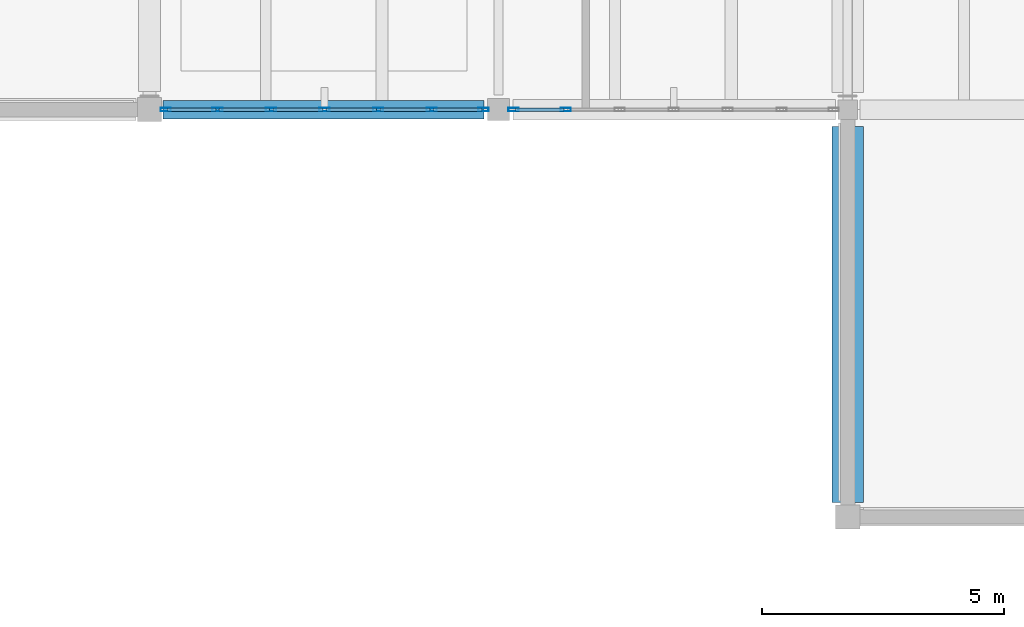
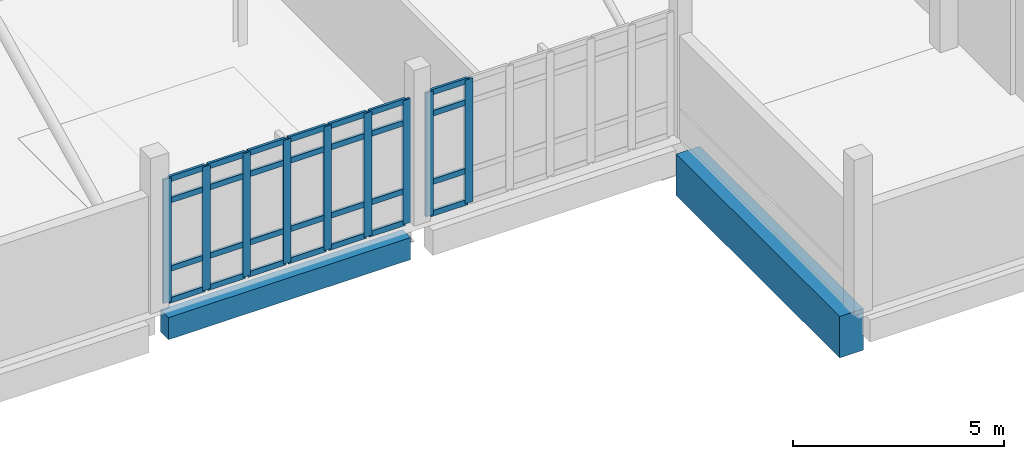
# One storey, part 5 of 34: 37 members, 2 beams, 2 elements without a shape of their own.
"""IFC4 building model written with IfcOpenShell, lengths in metres."""

import ifcopenshell
import ifcopenshell.guid

model = None  # the IFC model being written
_history = None  # IfcOwnerHistory: only IFC2X3 demands one
_inside = {}  # id of a spatial element -> (the spatial element, [elements in it])
_under = {}  # id of a project, library or spatial element -> (it, [spatial elements below it])
_declared = {}  # id of a project -> (the project, [libraries it declares])
_typed = {}  # id of a type object -> (the type object, [elements of that type])
_made_of = {}  # id of a material, layer set ... -> (it, [elements and type objects made of it])


def new_model(schema):
    """Start an empty IFC model of exactly this schema.

    Asked for "IFC4X3", IfcOpenShell would pick the latest addendum, in which some entities
    have other attributes; the version numbers below select the first issue.
    IFC2X3 requires an IfcOwnerHistory on every rooted entity: one is made here for all.
    """
    global model, _history
    if schema == "IFC4X3":
        model = ifcopenshell.file(schema_version=(4, 3, 0, 0))
    else:
        model = ifcopenshell.file(schema=schema)
    _inside.clear()
    _under.clear()
    _declared.clear()
    _typed.clear()
    _made_of.clear()
    _history = None
    if model.schema == "IFC2X3":
        org = make("IfcOrganization", Name="unknown")
        user = make(
            "IfcPersonAndOrganization",
            ThePerson=make("IfcPerson", FamilyName="unknown"),
            TheOrganization=org,
        )
        app = make(
            "IfcApplication",
            ApplicationDeveloper=org,
            Version="unknown",
            ApplicationFullName="unknown",
            ApplicationIdentifier="unknown",
        )
        _history = make(
            "IfcOwnerHistory",
            OwningUser=user,
            OwningApplication=app,
            ChangeAction="ADDED",
            CreationDate=0,
        )
    return model


def make(cls, **values):
    """One entity of the class cls with the attributes given. An attribute that is None is left unset."""
    return model.create_entity(
        cls, **{name: value for name, value in values.items() if value is not None}
    )


def rooted(cls, **values):
    """An entity with a GlobalId (a new one), such as an element, a storey or a relation."""
    return make(cls, GlobalId=ifcopenshell.guid.new(), OwnerHistory=_history, **values)


def si_unit(unit_type, name, prefix=None):
    """IfcSIUnit, for example si_unit("LENGTHUNIT", "METRE", prefix="MILLI")."""
    return make("IfcSIUnit", UnitType=unit_type, Prefix=prefix, Name=name)


def assignment(units):
    """IfcUnitAssignment: the units of a project."""
    return None if units is None else make("IfcUnitAssignment", Units=units)


def point(xyz):
    """IfcCartesianPoint."""
    return None if xyz is None else make("IfcCartesianPoint", Coordinates=xyz)


def direction(xyz):
    """IfcDirection."""
    return None if xyz is None else make("IfcDirection", DirectionRatios=xyz)


def frame(location, z_axis=None, x_axis=None):
    """IfcAxis2Placement3D, a coordinate frame: its origin and axes. An axis left out is left unset."""
    return make(
        "IfcAxis2Placement3D",
        Location=point(location),
        Axis=direction(z_axis),
        RefDirection=direction(x_axis),
    )


def frame_2d(location, x_axis=None):
    """IfcAxis2Placement2D, a coordinate frame in the plane: its origin and x axis."""
    return make(
        "IfcAxis2Placement2D", Location=point(location), RefDirection=direction(x_axis)
    )


def origin():
    """The frame at (0, 0, 0) with its axes left unset."""
    return frame((0.0, 0.0, 0.0))


def origin_2d():
    """The frame at (0, 0) in the plane with its x axis left unset."""
    return frame_2d((0.0, 0.0))


def place(relative_to, where):
    """IfcLocalPlacement: puts the frame where relative to a parent placement (None: the world)."""
    return make(
        "IfcLocalPlacement", PlacementRelTo=relative_to, RelativePlacement=where
    )


def context(
    kind, dimensions, precision=None, world=None, true_north=None, identifier=None
):
    """IfcGeometricRepresentationContext, for example the 3D "Model" context."""
    return make(
        "IfcGeometricRepresentationContext",
        ContextIdentifier=identifier,
        ContextType=kind,
        CoordinateSpaceDimension=dimensions,
        Precision=precision,
        WorldCoordinateSystem=world,
        TrueNorth=true_north,
    )


def subcontext(parent, identifier, kind, view, scale=None):
    """IfcGeometricRepresentationSubContext, for example "Body" below "Model"."""
    return make(
        "IfcGeometricRepresentationSubContext",
        ContextIdentifier=identifier,
        ContextType=kind,
        ParentContext=parent,
        TargetScale=scale,
        TargetView=view,
    )


def project(units=None, contexts=None):
    """IfcProject with its units and contexts."""
    return rooted(
        "IfcProject",
        Name="project",
        RepresentationContexts=contexts,
        UnitsInContext=assignment(units),
    )


def spatial(cls, under=None, at=None, **own):
    """A site, building, storey or space (cls), placed at a placement, below another one or the project."""
    s = rooted(cls, ObjectPlacement=at, **own)
    if under is not None:
        _under.setdefault(under.id(), (under, []))[1].append(s)
    return s


def profile(cls, at=None, kind="AREA", **sizes):
    """A parametric profile (cls). Its sizes go by their IFC names, for example OverallWidth=200.0."""
    return make(cls, ProfileType=kind, Position=at, **sizes)


def rectangle(**sizes):
    """IfcRectangleProfileDef."""
    return profile("IfcRectangleProfileDef", **sizes)


def hollow_rectangle(**sizes):
    """IfcRectangleHollowProfileDef."""
    return profile("IfcRectangleHollowProfileDef", **sizes)


def extrude(swept, where, along, depth):
    """IfcExtrudedAreaSolid: the profile swept, set in the frame where, extruded along a direction by depth."""
    return make(
        "IfcExtrudedAreaSolid",
        SweptArea=swept,
        Position=where,
        ExtrudedDirection=direction(along),
        Depth=depth,
    )


def shape(context_of_items, identifier, shape_type, items):
    """IfcShapeRepresentation: the items that make up one representation, for example the "Body"."""
    return make(
        "IfcShapeRepresentation",
        ContextOfItems=context_of_items,
        RepresentationIdentifier=identifier,
        RepresentationType=shape_type,
        Items=items,
    )


def material(Name=None, Category=None):
    """IfcMaterial."""
    return make("IfcMaterial", Name=Name, Category=Category)


def material_profile(
    of_material, cross_section, Name=None, Category=None, Priority=None
):
    """IfcMaterialProfile: a cross section and its material."""
    return make(
        "IfcMaterialProfile",
        Name=Name,
        Material=of_material,
        Profile=cross_section,
        Priority=Priority,
        Category=Category,
    )


def profile_set(profiles, Name=None, composite=None):
    """IfcMaterialProfileSet."""
    return make(
        "IfcMaterialProfileSet",
        Name=Name,
        MaterialProfiles=profiles,
        CompositeProfile=composite,
    )


def made_of(thing, what):
    """Note that an element or type object is made of a material, layer set ...; save() writes the relation."""
    if what is not None:
        _made_of.setdefault(what.id(), (what, []))[1].append(thing)
    return thing


def type_object(cls, material=None, **own):
    """A type object (cls), such as IfcWallType, which elements share."""
    return made_of(rooted(cls, **own), material)


def element(
    cls,
    number,
    at=None,
    inside=None,
    cuts=None,
    type_object=None,
    material=None,
    context=None,
    identifier="Body",
    shape_type=None,
    held_by="IfcProductDefinitionShape",
    body=None,
    shapes=None,
    **own,
):
    """One element of the class cls, such as IfcWall. Its Tag is "e" and its number.

    at: its placement. inside: the storey or other place that contains it. cuts: it is an
    opening in that element (IfcRelVoidsElement). A single representation is given by context,
    identifier, shape_type and body (its items); several are given by shapes. held_by: the class
    of the entity that holds the representations. save() writes the other relations.
    """
    e = rooted(cls, Tag="e%d" % number, ObjectPlacement=at, **own)
    if body is not None:
        shapes = [shape(context, identifier, shape_type, body)]
    if shapes is not None:
        e.Representation = make(held_by, Representations=shapes)
    if inside is not None:
        _inside.setdefault(inside.id(), (inside, []))[1].append(e)
    if cuts is not None:
        rooted(
            "IfcRelVoidsElement", RelatingBuildingElement=cuts, RelatedOpeningElement=e
        )
    if type_object is not None:
        _typed.setdefault(type_object.id(), (type_object, []))[1].append(e)
    return made_of(e, material)


def aggregate(whole, parts):
    """IfcRelAggregates: a whole, such as a stair, and the parts it consists of."""
    return rooted("IfcRelAggregates", RelatingObject=whole, RelatedObjects=parts)


def save(model, path):
    """Write the relations noted so far, then the file.

    IfcRelAggregates (storeys below a building ...), IfcRelContainedInSpatialStructure (elements
    in a storey), IfcRelDefinesByType, IfcRelAssociatesMaterial and IfcRelDeclares: one each for
    every whole, place, type object, material and project.
    """
    for whole, parts in _under.values():
        aggregate(whole, parts)
    for where, things in _inside.values():
        rooted(
            "IfcRelContainedInSpatialStructure",
            RelatedElements=things,
            RelatingStructure=where,
        )
    for kind, things in _typed.values():
        rooted("IfcRelDefinesByType", RelatedObjects=things, RelatingType=kind)
    for what, things in _made_of.values():
        rooted("IfcRelAssociatesMaterial", RelatedObjects=things, RelatingMaterial=what)
    for by, libraries in _declared.values():
        rooted("IfcRelDeclares", RelatingContext=by, RelatedDefinitions=libraries)
    model.write(path)


model = new_model("IFC4")

# Units and contexts
model_context = context("Model", 3, precision=1e-05, world=origin(), true_north=direction((0.0, 1.0)))
body_context = subcontext(model_context, "Body", "Model", "MODEL_VIEW")
ifc_project = project(units=[si_unit("LENGTHUNIT", "METRE"), si_unit("AREAUNIT", "SQUARE_METRE"), si_unit("VOLUMEUNIT", "CUBIC_METRE"), si_unit("PLANEANGLEUNIT", "RADIAN"), si_unit("MASSUNIT", "GRAM", prefix="KILO")], contexts=[model_context])

# Site, building, storey
site_placement = place(None, origin())
site = spatial("IfcSite", under=ifc_project, at=site_placement, CompositionType="ELEMENT")
building_placement = place(site_placement, origin())
building = spatial("IfcBuilding", under=site, at=building_placement, Name="Kalluvel Institute of Natural Sciences", CompositionType="ELEMENT")
storey_placement = place(building_placement, frame((0.0, 0.0, 36.89990234375)))
storey = spatial("IfcBuildingStorey", under=building, at=storey_placement, Name="L08", CompositionType="ELEMENT", Elevation=36.89990234375)

# Beams
ifc_material_1 = material(Name="Concrete M40", Category="concrete")
ifc_material_profile_1 = material_profile(ifc_material_1, rectangle(XDim=0.3798828125, YDim=0.639892578125, at=origin_2d()), Name="RCB 380x640")
ifc_profile_set_1 = profile_set([ifc_material_profile_1], Name="Concrete M40")
beam_type_1 = type_object("IfcBeamType", Name="BM-RC380x640", PredefinedType="BEAM", material=ifc_profile_set_1)
beam_1_placement = place(storey_placement, frame((21.47509765625, 102.800048828125, -0.639892578125), z_axis=(1.0, 0.0, 0.0), x_axis=(0.0, 1.0, 0.0)))
element("IfcBeam", 1, at=beam_1_placement, inside=storey, type_object=beam_type_1, Name="L08 girder GIR-L08-EW-X212-Y1028", PredefinedType="BEAM", context=body_context, shape_type="SweptSolid", body=[
    extrude(rectangle(XDim=0.3798828125, YDim=0.639892578125, at=origin_2d()), origin(), (0.0, 0.0, 1.0), 6.625),
])
ifc_material_2 = material(Name="Concrete M50", Category="concrete")
ifc_material_profile_2 = material_profile(ifc_material_2, rectangle(XDim=0.64990234375, YDim=1.199951171875, at=origin_2d()), Name="RCB 650x1200")
ifc_profile_set_2 = profile_set([ifc_material_profile_2], Name="Concrete M50")
beam_type_2 = type_object("IfcBeamType", Name="BM-RC650x1200", PredefinedType="BEAM", material=ifc_profile_set_2)
beam_2_placement = place(storey_placement, frame((35.60009765625, 94.699951171875, -0.919921875), z_axis=(0.0, 1.0, 0.0), x_axis=(-1.0, 0.0, 0.0)))
element("IfcBeam", 2, at=beam_2_placement, inside=storey, type_object=beam_type_2, Name="L08 girder GIR-L08-NS-X356-Y944", PredefinedType="BEAM", context=body_context, shape_type="SweptSolid", body=[
    extrude(rectangle(XDim=0.64990234375, YDim=1.199951171875, at=origin_2d()), origin(), (0.0, 0.0, 1.0), 7.75),
])

# Curtain wall, members
ifc_material_3 = material(Name="Aluminium AW-6063 T6", Category="aluminium")
curtain_wall_type = type_object("IfcCurtainWallType", Name="CW-WET-45", PredefinedType="USERDEFINED", material=ifc_material_3)
curtain_wall_1_placement = place(storey_placement, origin())
curtain_wall_1 = element("IfcCurtainWall", 3, at=curtain_wall_1_placement, inside=storey, type_object=curtain_wall_type, Name="L08 Gothic lancet curtain wall CWA-L08-X215-Y1028", ObjectType="UNITISED LANCET FACADE", PredefinedType="USERDEFINED")
ifc_material_profile_3 = material_profile(ifc_material_3, hollow_rectangle(XDim=0.070068359375, YDim=0.2099609375, WallThickness=0.0048828125, at=origin_2d()), Name="CWM 70x210")
ifc_profile_set_3 = profile_set([ifc_material_profile_3], Name="Aluminium AW-6063 T6")
member_type_1 = type_object("IfcMemberType", Name="CWM-70x210", PredefinedType="MULLION", material=ifc_profile_set_3)
member_1_placement = place(storey_placement, frame((21.534912109375, 102.800048828125, 0.0), z_axis=(0.0, 0.0, 1.0), x_axis=(0.0, 1.0, 0.0)))
member_1 = element("IfcMember", 4, at=member_1_placement, type_object=member_type_1, Name="CW-01 mullion 1", PredefinedType="MULLION", context=body_context, shape_type="SweptSolid", body=[
    extrude(hollow_rectangle(XDim=0.070068359375, YDim=0.2099609375, WallThickness=0.0048828125, at=origin_2d()), origin(), (0.0, 0.0, 1.0), 3.580078125),
])
member_2_placement = place(storey_placement, frame((22.604248046875, 102.800048828125, 0.0), z_axis=(0.0, 0.0, 1.0), x_axis=(0.0, 1.0, 0.0)))
member_2 = element("IfcMember", 5, at=member_2_placement, type_object=member_type_1, Name="CW-01 mullion 2", PredefinedType="MULLION", context=body_context, shape_type="SweptSolid", body=[
    extrude(hollow_rectangle(XDim=0.070068359375, YDim=0.2099609375, WallThickness=0.0048828125, at=origin_2d()), origin(), (0.0, 0.0, 1.0), 3.580078125),
])
member_3_placement = place(storey_placement, frame((23.708251953125, 102.800048828125, 0.0), z_axis=(0.0, 0.0, 1.0), x_axis=(0.0, 1.0, 0.0)))
member_3 = element("IfcMember", 6, at=member_3_placement, type_object=member_type_1, Name="CW-01 mullion 3", PredefinedType="MULLION", context=body_context, shape_type="SweptSolid", body=[
    extrude(hollow_rectangle(XDim=0.070068359375, YDim=0.2099609375, WallThickness=0.0048828125, at=origin_2d()), origin(), (0.0, 0.0, 1.0), 3.580078125),
])
member_4_placement = place(storey_placement, frame((24.8125, 102.800048828125, 0.0), z_axis=(0.0, 0.0, 1.0), x_axis=(0.0, 1.0, 0.0)))
member_4 = element("IfcMember", 7, at=member_4_placement, type_object=member_type_1, Name="CW-01 mullion 4", PredefinedType="MULLION", context=body_context, shape_type="SweptSolid", body=[
    extrude(hollow_rectangle(XDim=0.070068359375, YDim=0.2099609375, WallThickness=0.0048828125, at=origin_2d()), origin(), (0.0, 0.0, 1.0), 3.580078125),
])
member_5_placement = place(storey_placement, frame((25.916748046875, 102.800048828125, 0.0), z_axis=(0.0, 0.0, 1.0), x_axis=(0.0, 1.0, 0.0)))
member_5 = element("IfcMember", 8, at=member_5_placement, type_object=member_type_1, Name="CW-01 mullion 5", PredefinedType="MULLION", context=body_context, shape_type="SweptSolid", body=[
    extrude(hollow_rectangle(XDim=0.070068359375, YDim=0.2099609375, WallThickness=0.0048828125, at=origin_2d()), origin(), (0.0, 0.0, 1.0), 3.580078125),
])
member_6_placement = place(storey_placement, frame((27.020751953125, 102.800048828125, 0.0), z_axis=(0.0, 0.0, 1.0), x_axis=(0.0, 1.0, 0.0)))
member_6 = element("IfcMember", 9, at=member_6_placement, type_object=member_type_1, Name="CW-01 mullion 6", PredefinedType="MULLION", context=body_context, shape_type="SweptSolid", body=[
    extrude(hollow_rectangle(XDim=0.070068359375, YDim=0.2099609375, WallThickness=0.0048828125, at=origin_2d()), origin(), (0.0, 0.0, 1.0), 3.580078125),
])
member_7_placement = place(storey_placement, frame((28.090087890625, 102.800048828125, 0.0), z_axis=(0.0, 0.0, 1.0), x_axis=(0.0, 1.0, 0.0)))
member_7 = element("IfcMember", 10, at=member_7_placement, type_object=member_type_1, Name="CW-01 mullion 7", PredefinedType="MULLION", context=body_context, shape_type="SweptSolid", body=[
    extrude(hollow_rectangle(XDim=0.070068359375, YDim=0.2099609375, WallThickness=0.0048828125, at=origin_2d()), origin(), (0.0, 0.0, 1.0), 3.580078125),
])

curtain_wall_2_placement = place(storey_placement, origin())
curtain_wall_2 = element("IfcCurtainWall", 11, at=curtain_wall_2_placement, inside=storey, type_object=curtain_wall_type, Name="L08 Gothic lancet curtain wall CWA-L08-X287-Y1028", ObjectType="UNITISED LANCET FACADE", PredefinedType="USERDEFINED")
member_8_placement = place(storey_placement, frame((28.7099609375, 102.800048828125, 0.0), z_axis=(0.0, 0.0, 1.0), x_axis=(0.0, 1.0, 0.0)))
member_8 = element("IfcMember", 12, at=member_8_placement, type_object=member_type_1, Name="CW-01 mullion 1", PredefinedType="MULLION", context=body_context, shape_type="SweptSolid", body=[
    extrude(hollow_rectangle(XDim=0.070068359375, YDim=0.2099609375, WallThickness=0.0048828125, at=origin_2d()), origin(), (0.0, 0.0, 1.0), 3.580078125),
])
member_9_placement = place(storey_placement, frame((29.78759765625, 102.800048828125, 0.0), z_axis=(0.0, 0.0, 1.0), x_axis=(0.0, 1.0, 0.0)))
member_9 = element("IfcMember", 13, at=member_9_placement, type_object=member_type_1, Name="CW-01 mullion 2", PredefinedType="MULLION", context=body_context, shape_type="SweptSolid", body=[
    extrude(hollow_rectangle(XDim=0.070068359375, YDim=0.2099609375, WallThickness=0.0048828125, at=origin_2d()), origin(), (0.0, 0.0, 1.0), 3.580078125),
])

# Member
ifc_material_profile_4 = material_profile(ifc_material_3, hollow_rectangle(XDim=0.070068359375, YDim=0.159912109375, WallThickness=0.0048828125, at=origin_2d()), Name="CWT 70x160")
ifc_profile_set_4 = profile_set([ifc_material_profile_4], Name="Aluminium AW-6063 T6")
member_type_2 = type_object("IfcMemberType", Name="CWT-70x160", PredefinedType="USERDEFINED", material=ifc_profile_set_4)
member_10_placement = place(storey_placement, frame((21.570068359375, 102.800048828125, 0.03515625), z_axis=(1.0, 0.0, 0.0), x_axis=(0.0, 1.0, 0.0)))
member_10 = element("IfcMember", 14, at=member_10_placement, type_object=member_type_2, Name="CW-01 transom 1.1", ObjectType="TRANSOM", PredefinedType="USERDEFINED", context=body_context, shape_type="SweptSolid", body=[
    extrude(hollow_rectangle(XDim=0.070068359375, YDim=0.159912109375, WallThickness=0.0048828125, at=origin_2d()), origin(), (0.0, 0.0, 1.0), 0.9990234375),
])

member_11_placement = place(storey_placement, frame((21.570068359375, 102.800048828125, 0.9501953125), z_axis=(1.0, 0.0, 0.0), x_axis=(0.0, 1.0, 0.0)))
member_11 = element("IfcMember", 15, at=member_11_placement, type_object=member_type_2, Name="CW-01 transom 1.2", ObjectType="TRANSOM", PredefinedType="USERDEFINED", context=body_context, shape_type="SweptSolid", body=[
    extrude(hollow_rectangle(XDim=0.070068359375, YDim=0.159912109375, WallThickness=0.0048828125, at=origin_2d()), origin(), (0.0, 0.0, 1.0), 0.9990234375),
])

member_12_placement = place(storey_placement, frame((21.570068359375, 102.800048828125, 2.93017578125), z_axis=(1.0, 0.0, 0.0), x_axis=(0.0, 1.0, 0.0)))
member_12 = element("IfcMember", 16, at=member_12_placement, type_object=member_type_2, Name="CW-01 transom 1.3", ObjectType="TRANSOM", PredefinedType="USERDEFINED", context=body_context, shape_type="SweptSolid", body=[
    extrude(hollow_rectangle(XDim=0.070068359375, YDim=0.159912109375, WallThickness=0.0048828125, at=origin_2d()), origin(), (0.0, 0.0, 1.0), 0.9990234375),
])

member_13_placement = place(storey_placement, frame((21.570068359375, 102.800048828125, 3.545166015625), z_axis=(1.0, 0.0, 0.0), x_axis=(0.0, 1.0, 0.0)))
member_13 = element("IfcMember", 17, at=member_13_placement, type_object=member_type_2, Name="CW-01 transom 1.4", ObjectType="TRANSOM", PredefinedType="USERDEFINED", context=body_context, shape_type="SweptSolid", body=[
    extrude(hollow_rectangle(XDim=0.070068359375, YDim=0.159912109375, WallThickness=0.0048828125, at=origin_2d()), origin(), (0.0, 0.0, 1.0), 0.9990234375),
])

member_14_placement = place(storey_placement, frame((22.63916015625, 102.800048828125, 0.03515625), z_axis=(1.0, 0.0, 0.0), x_axis=(0.0, 1.0, 0.0)))
member_14 = element("IfcMember", 18, at=member_14_placement, type_object=member_type_2, Name="CW-01 transom 2.1", ObjectType="TRANSOM", PredefinedType="USERDEFINED", context=body_context, shape_type="SweptSolid", body=[
    extrude(hollow_rectangle(XDim=0.070068359375, YDim=0.159912109375, WallThickness=0.0048828125, at=origin_2d()), origin(), (0.0, 0.0, 1.0), 1.0341796875),
])

member_15_placement = place(storey_placement, frame((22.63916015625, 102.800048828125, 0.9501953125), z_axis=(1.0, 0.0, 0.0), x_axis=(0.0, 1.0, 0.0)))
member_15 = element("IfcMember", 19, at=member_15_placement, type_object=member_type_2, Name="CW-01 transom 2.2", ObjectType="TRANSOM", PredefinedType="USERDEFINED", context=body_context, shape_type="SweptSolid", body=[
    extrude(hollow_rectangle(XDim=0.070068359375, YDim=0.159912109375, WallThickness=0.0048828125, at=origin_2d()), origin(), (0.0, 0.0, 1.0), 1.0341796875),
])

member_16_placement = place(storey_placement, frame((22.63916015625, 102.800048828125, 2.93017578125), z_axis=(1.0, 0.0, 0.0), x_axis=(0.0, 1.0, 0.0)))
member_16 = element("IfcMember", 20, at=member_16_placement, type_object=member_type_2, Name="CW-01 transom 2.3", ObjectType="TRANSOM", PredefinedType="USERDEFINED", context=body_context, shape_type="SweptSolid", body=[
    extrude(hollow_rectangle(XDim=0.070068359375, YDim=0.159912109375, WallThickness=0.0048828125, at=origin_2d()), origin(), (0.0, 0.0, 1.0), 1.0341796875),
])

member_17_placement = place(storey_placement, frame((22.63916015625, 102.800048828125, 3.545166015625), z_axis=(1.0, 0.0, 0.0), x_axis=(0.0, 1.0, 0.0)))
member_17 = element("IfcMember", 21, at=member_17_placement, type_object=member_type_2, Name="CW-01 transom 2.4", ObjectType="TRANSOM", PredefinedType="USERDEFINED", context=body_context, shape_type="SweptSolid", body=[
    extrude(hollow_rectangle(XDim=0.070068359375, YDim=0.159912109375, WallThickness=0.0048828125, at=origin_2d()), origin(), (0.0, 0.0, 1.0), 1.0341796875),
])

member_18_placement = place(storey_placement, frame((23.743408203125, 102.800048828125, 0.03515625), z_axis=(1.0, 0.0, 0.0), x_axis=(0.0, 1.0, 0.0)))
member_18 = element("IfcMember", 22, at=member_18_placement, type_object=member_type_2, Name="CW-01 transom 3.1", ObjectType="TRANSOM", PredefinedType="USERDEFINED", context=body_context, shape_type="SweptSolid", body=[
    extrude(hollow_rectangle(XDim=0.070068359375, YDim=0.159912109375, WallThickness=0.0048828125, at=origin_2d()), origin(), (0.0, 0.0, 1.0), 1.0341796875),
])

member_19_placement = place(storey_placement, frame((23.743408203125, 102.800048828125, 0.9501953125), z_axis=(1.0, 0.0, 0.0), x_axis=(0.0, 1.0, 0.0)))
member_19 = element("IfcMember", 23, at=member_19_placement, type_object=member_type_2, Name="CW-01 transom 3.2", ObjectType="TRANSOM", PredefinedType="USERDEFINED", context=body_context, shape_type="SweptSolid", body=[
    extrude(hollow_rectangle(XDim=0.070068359375, YDim=0.159912109375, WallThickness=0.0048828125, at=origin_2d()), origin(), (0.0, 0.0, 1.0), 1.0341796875),
])

member_20_placement = place(storey_placement, frame((23.743408203125, 102.800048828125, 2.93017578125), z_axis=(1.0, 0.0, 0.0), x_axis=(0.0, 1.0, 0.0)))
member_20 = element("IfcMember", 24, at=member_20_placement, type_object=member_type_2, Name="CW-01 transom 3.3", ObjectType="TRANSOM", PredefinedType="USERDEFINED", context=body_context, shape_type="SweptSolid", body=[
    extrude(hollow_rectangle(XDim=0.070068359375, YDim=0.159912109375, WallThickness=0.0048828125, at=origin_2d()), origin(), (0.0, 0.0, 1.0), 1.0341796875),
])

member_21_placement = place(storey_placement, frame((23.743408203125, 102.800048828125, 3.545166015625), z_axis=(1.0, 0.0, 0.0), x_axis=(0.0, 1.0, 0.0)))
member_21 = element("IfcMember", 25, at=member_21_placement, type_object=member_type_2, Name="CW-01 transom 3.4", ObjectType="TRANSOM", PredefinedType="USERDEFINED", context=body_context, shape_type="SweptSolid", body=[
    extrude(hollow_rectangle(XDim=0.070068359375, YDim=0.159912109375, WallThickness=0.0048828125, at=origin_2d()), origin(), (0.0, 0.0, 1.0), 1.0341796875),
])

member_22_placement = place(storey_placement, frame((24.847412109375, 102.800048828125, 0.03515625), z_axis=(1.0, 0.0, 0.0), x_axis=(0.0, 1.0, 0.0)))
member_22 = element("IfcMember", 26, at=member_22_placement, type_object=member_type_2, Name="CW-01 transom 4.1", ObjectType="TRANSOM", PredefinedType="USERDEFINED", context=body_context, shape_type="SweptSolid", body=[
    extrude(hollow_rectangle(XDim=0.070068359375, YDim=0.159912109375, WallThickness=0.0048828125, at=origin_2d()), origin(), (0.0, 0.0, 1.0), 1.0341796875),
])

member_23_placement = place(storey_placement, frame((24.847412109375, 102.800048828125, 0.9501953125), z_axis=(1.0, 0.0, 0.0), x_axis=(0.0, 1.0, 0.0)))
member_23 = element("IfcMember", 27, at=member_23_placement, type_object=member_type_2, Name="CW-01 transom 4.2", ObjectType="TRANSOM", PredefinedType="USERDEFINED", context=body_context, shape_type="SweptSolid", body=[
    extrude(hollow_rectangle(XDim=0.070068359375, YDim=0.159912109375, WallThickness=0.0048828125, at=origin_2d()), origin(), (0.0, 0.0, 1.0), 1.0341796875),
])

member_24_placement = place(storey_placement, frame((24.847412109375, 102.800048828125, 2.93017578125), z_axis=(1.0, 0.0, 0.0), x_axis=(0.0, 1.0, 0.0)))
member_24 = element("IfcMember", 28, at=member_24_placement, type_object=member_type_2, Name="CW-01 transom 4.3", ObjectType="TRANSOM", PredefinedType="USERDEFINED", context=body_context, shape_type="SweptSolid", body=[
    extrude(hollow_rectangle(XDim=0.070068359375, YDim=0.159912109375, WallThickness=0.0048828125, at=origin_2d()), origin(), (0.0, 0.0, 1.0), 1.0341796875),
])

member_25_placement = place(storey_placement, frame((24.847412109375, 102.800048828125, 3.545166015625), z_axis=(1.0, 0.0, 0.0), x_axis=(0.0, 1.0, 0.0)))
member_25 = element("IfcMember", 29, at=member_25_placement, type_object=member_type_2, Name="CW-01 transom 4.4", ObjectType="TRANSOM", PredefinedType="USERDEFINED", context=body_context, shape_type="SweptSolid", body=[
    extrude(hollow_rectangle(XDim=0.070068359375, YDim=0.159912109375, WallThickness=0.0048828125, at=origin_2d()), origin(), (0.0, 0.0, 1.0), 1.0341796875),
])

member_26_placement = place(storey_placement, frame((25.95166015625, 102.800048828125, 0.03515625), z_axis=(1.0, 0.0, 0.0), x_axis=(0.0, 1.0, 0.0)))
member_26 = element("IfcMember", 30, at=member_26_placement, type_object=member_type_2, Name="CW-01 transom 5.1", ObjectType="TRANSOM", PredefinedType="USERDEFINED", context=body_context, shape_type="SweptSolid", body=[
    extrude(hollow_rectangle(XDim=0.070068359375, YDim=0.159912109375, WallThickness=0.0048828125, at=origin_2d()), origin(), (0.0, 0.0, 1.0), 1.0341796875),
])

member_27_placement = place(storey_placement, frame((25.95166015625, 102.800048828125, 0.9501953125), z_axis=(1.0, 0.0, 0.0), x_axis=(0.0, 1.0, 0.0)))
member_27 = element("IfcMember", 31, at=member_27_placement, type_object=member_type_2, Name="CW-01 transom 5.2", ObjectType="TRANSOM", PredefinedType="USERDEFINED", context=body_context, shape_type="SweptSolid", body=[
    extrude(hollow_rectangle(XDim=0.070068359375, YDim=0.159912109375, WallThickness=0.0048828125, at=origin_2d()), origin(), (0.0, 0.0, 1.0), 1.0341796875),
])

member_28_placement = place(storey_placement, frame((25.95166015625, 102.800048828125, 2.93017578125), z_axis=(1.0, 0.0, 0.0), x_axis=(0.0, 1.0, 0.0)))
member_28 = element("IfcMember", 32, at=member_28_placement, type_object=member_type_2, Name="CW-01 transom 5.3", ObjectType="TRANSOM", PredefinedType="USERDEFINED", context=body_context, shape_type="SweptSolid", body=[
    extrude(hollow_rectangle(XDim=0.070068359375, YDim=0.159912109375, WallThickness=0.0048828125, at=origin_2d()), origin(), (0.0, 0.0, 1.0), 1.0341796875),
])

member_29_placement = place(storey_placement, frame((25.95166015625, 102.800048828125, 3.545166015625), z_axis=(1.0, 0.0, 0.0), x_axis=(0.0, 1.0, 0.0)))
member_29 = element("IfcMember", 33, at=member_29_placement, type_object=member_type_2, Name="CW-01 transom 5.4", ObjectType="TRANSOM", PredefinedType="USERDEFINED", context=body_context, shape_type="SweptSolid", body=[
    extrude(hollow_rectangle(XDim=0.070068359375, YDim=0.159912109375, WallThickness=0.0048828125, at=origin_2d()), origin(), (0.0, 0.0, 1.0), 1.0341796875),
])

member_30_placement = place(storey_placement, frame((27.055908203125, 102.800048828125, 0.03515625), z_axis=(1.0, 0.0, 0.0), x_axis=(0.0, 1.0, 0.0)))
member_30 = element("IfcMember", 34, at=member_30_placement, type_object=member_type_2, Name="CW-01 transom 6.1", ObjectType="TRANSOM", PredefinedType="USERDEFINED", context=body_context, shape_type="SweptSolid", body=[
    extrude(hollow_rectangle(XDim=0.070068359375, YDim=0.159912109375, WallThickness=0.0048828125, at=origin_2d()), origin(), (0.0, 0.0, 1.0), 0.9990234375),
])

member_31_placement = place(storey_placement, frame((27.055908203125, 102.800048828125, 0.9501953125), z_axis=(1.0, 0.0, 0.0), x_axis=(0.0, 1.0, 0.0)))
member_31 = element("IfcMember", 35, at=member_31_placement, type_object=member_type_2, Name="CW-01 transom 6.2", ObjectType="TRANSOM", PredefinedType="USERDEFINED", context=body_context, shape_type="SweptSolid", body=[
    extrude(hollow_rectangle(XDim=0.070068359375, YDim=0.159912109375, WallThickness=0.0048828125, at=origin_2d()), origin(), (0.0, 0.0, 1.0), 0.9990234375),
])

member_32_placement = place(storey_placement, frame((27.055908203125, 102.800048828125, 2.93017578125), z_axis=(1.0, 0.0, 0.0), x_axis=(0.0, 1.0, 0.0)))
member_32 = element("IfcMember", 36, at=member_32_placement, type_object=member_type_2, Name="CW-01 transom 6.3", ObjectType="TRANSOM", PredefinedType="USERDEFINED", context=body_context, shape_type="SweptSolid", body=[
    extrude(hollow_rectangle(XDim=0.070068359375, YDim=0.159912109375, WallThickness=0.0048828125, at=origin_2d()), origin(), (0.0, 0.0, 1.0), 0.9990234375),
])

member_33_placement = place(storey_placement, frame((27.055908203125, 102.800048828125, 3.545166015625), z_axis=(1.0, 0.0, 0.0), x_axis=(0.0, 1.0, 0.0)))
member_33 = element("IfcMember", 37, at=member_33_placement, type_object=member_type_2, Name="CW-01 transom 6.4", ObjectType="TRANSOM", PredefinedType="USERDEFINED", context=body_context, shape_type="SweptSolid", body=[
    extrude(hollow_rectangle(XDim=0.070068359375, YDim=0.159912109375, WallThickness=0.0048828125, at=origin_2d()), origin(), (0.0, 0.0, 1.0), 0.9990234375),
])

aggregate(curtain_wall_1, [member_1, member_2, member_3, member_4, member_5, member_6, member_7, member_10, member_11, member_12, member_13, member_14, member_15, member_16, member_17, member_18, member_19, member_20, member_21, member_22, member_23, member_24, member_25, member_26, member_27, member_28, member_29, member_30, member_31, member_32, member_33])

member_34_placement = place(storey_placement, frame((28.7451171875, 102.800048828125, 0.03515625), z_axis=(1.0, 0.0, 0.0), x_axis=(0.0, 1.0, 0.0)))
member_34 = element("IfcMember", 38, at=member_34_placement, type_object=member_type_2, Name="CW-01 transom 1.1", ObjectType="TRANSOM", PredefinedType="USERDEFINED", context=body_context, shape_type="SweptSolid", body=[
    extrude(hollow_rectangle(XDim=0.070068359375, YDim=0.159912109375, WallThickness=0.0048828125, at=origin_2d()), origin(), (0.0, 0.0, 1.0), 1.00732421875),
])

member_35_placement = place(storey_placement, frame((28.7451171875, 102.800048828125, 0.9501953125), z_axis=(1.0, 0.0, 0.0), x_axis=(0.0, 1.0, 0.0)))
member_35 = element("IfcMember", 39, at=member_35_placement, type_object=member_type_2, Name="CW-01 transom 1.2", ObjectType="TRANSOM", PredefinedType="USERDEFINED", context=body_context, shape_type="SweptSolid", body=[
    extrude(hollow_rectangle(XDim=0.070068359375, YDim=0.159912109375, WallThickness=0.0048828125, at=origin_2d()), origin(), (0.0, 0.0, 1.0), 1.00732421875),
])

member_36_placement = place(storey_placement, frame((28.7451171875, 102.800048828125, 2.93017578125), z_axis=(1.0, 0.0, 0.0), x_axis=(0.0, 1.0, 0.0)))
member_36 = element("IfcMember", 40, at=member_36_placement, type_object=member_type_2, Name="CW-01 transom 1.3", ObjectType="TRANSOM", PredefinedType="USERDEFINED", context=body_context, shape_type="SweptSolid", body=[
    extrude(hollow_rectangle(XDim=0.070068359375, YDim=0.159912109375, WallThickness=0.0048828125, at=origin_2d()), origin(), (0.0, 0.0, 1.0), 1.00732421875),
])

member_37_placement = place(storey_placement, frame((28.7451171875, 102.800048828125, 3.545166015625), z_axis=(1.0, 0.0, 0.0), x_axis=(0.0, 1.0, 0.0)))
member_37 = element("IfcMember", 41, at=member_37_placement, type_object=member_type_2, Name="CW-01 transom 1.4", ObjectType="TRANSOM", PredefinedType="USERDEFINED", context=body_context, shape_type="SweptSolid", body=[
    extrude(hollow_rectangle(XDim=0.070068359375, YDim=0.159912109375, WallThickness=0.0048828125, at=origin_2d()), origin(), (0.0, 0.0, 1.0), 1.00732421875),
])

aggregate(curtain_wall_2, [member_8, member_9, member_34, member_35, member_36, member_37])

save(model, "model.ifc")
